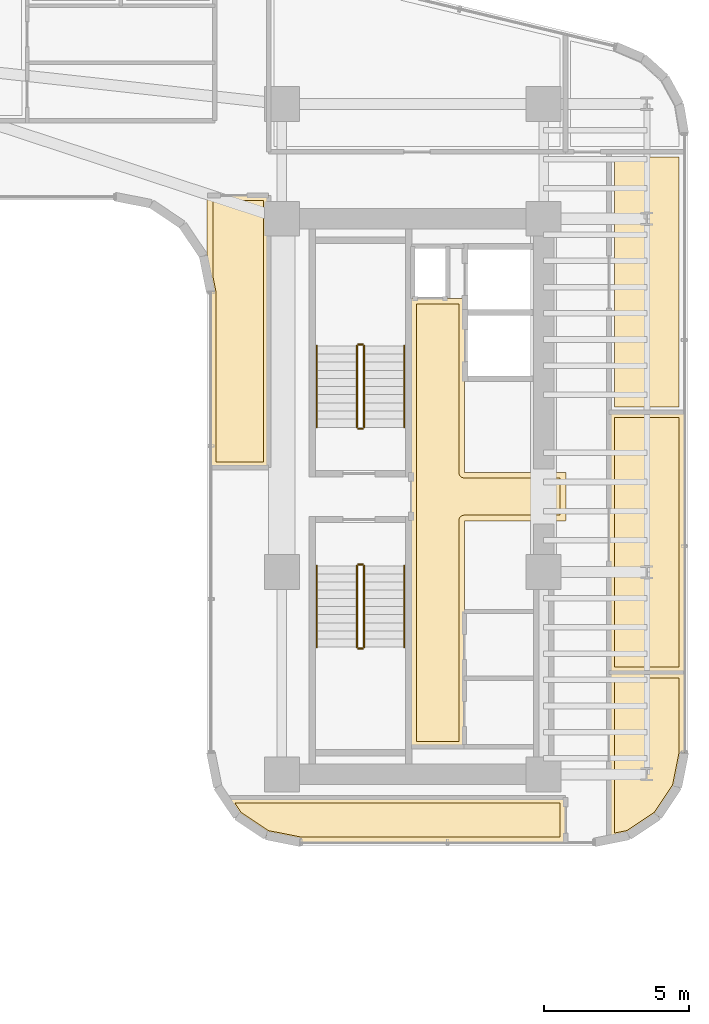
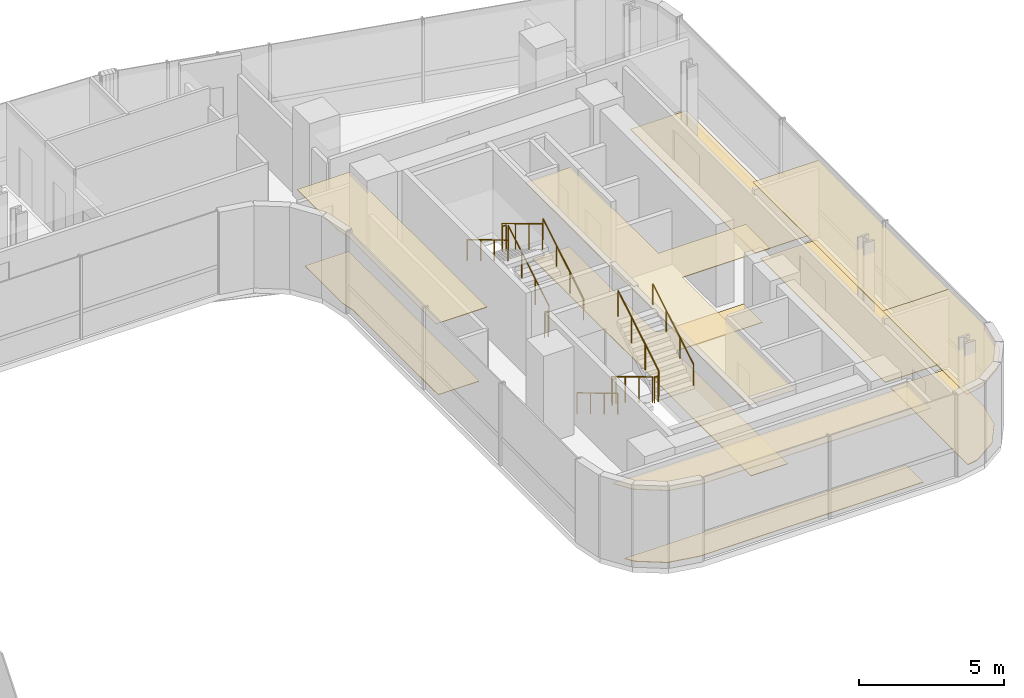
# One storey, part 34 of 36: 12 railings, 11 coverings.
"""IFC4 building model written with IfcOpenShell, lengths in metres."""

from ifc_helpers import new_model, si_unit, direction, frame, origin, origin_2d, place, context, subcontext, project, spatial, polyline, circle, outline, extrude, material, layer, layer_set, type_object, element, save


model = new_model("IFC4")

# Units and contexts
model_context = context("Model", 3, precision=1e-05, world=origin(), true_north=direction((0.0, 1.0)))
body_context = subcontext(model_context, "Body", "Model", "MODEL_VIEW")
ifc_project = project(units=[si_unit("LENGTHUNIT", "METRE"), si_unit("AREAUNIT", "SQUARE_METRE"), si_unit("VOLUMEUNIT", "CUBIC_METRE"), si_unit("PLANEANGLEUNIT", "RADIAN"), si_unit("MASSUNIT", "GRAM", prefix="KILO")], contexts=[model_context])

# Site, building, storey
site_placement = place(None, origin())
site = spatial("IfcSite", under=ifc_project, at=site_placement, CompositionType="ELEMENT")
building_placement = place(site_placement, origin())
building = spatial("IfcBuilding", under=site, at=building_placement, Name="Valdorenza Pilgrim Sanctuary Tower", CompositionType="ELEMENT")
storey_placement = place(building_placement, frame((0.0, 0.0, 109.39990234375)))
storey = spatial("IfcBuildingStorey", under=building, at=storey_placement, Name="L27", CompositionType="ELEMENT", Elevation=109.39990234375)

# Coverings
ifc_material_1 = material(Name="Micro-perforated acoustic mineral ceiling tile", Category="gypsum")
ifc_layer_1 = layer(ifc_material_1, 0.02490234375, Name="Micro-perforated acoustic mineral ceiling tile")
ifc_layer_set_1 = layer_set([ifc_layer_1], Name="Micro-perforated acoustic mineral ceiling tile")
covering_type_1 = type_object("IfcCoveringType", Name="COV-CLG-ACU", PredefinedType="CEILING", material=ifc_layer_set_1)
covering_1_placement = place(storey_placement, frame((0.0, 0.0, 3.16015625)))
element("IfcCovering", 1, at=covering_1_placement, inside=storey, type_object=covering_type_1, Name="L27 Core B Passenger Lift Lobby Acoustic Ceiling", PredefinedType="CEILING", context=body_context, shape_type="SweptSolid", body=[
    extrude(outline(polyline([(20.287109375, -0.814697265625), (20.287109375, 0.814697265625), (20.28662109375, 0.815185546875), (20.2861328125, 0.81640625), (20.28564453125, 0.81787109375), (20.285400390625, 0.819091796875), (20.28515625, 0.820556640625), (20.284912109375, 0.822021484375), (20.284912109375, 6.800048828125), (20.28515625, 6.801513671875), (20.285400390625, 6.802978515625), (20.28564453125, 6.804443359375), (20.2861328125, 6.8056640625), (20.286865234375, 6.80712890625), (20.28759765625, 6.808349609375), (20.288330078125, 6.8095703125), (20.289306640625, 6.810546875), (20.29052734375, 6.8115234375), (20.291748046875, 6.8125), (20.29296875, 6.813232421875), (20.294189453125, 6.81396484375), (20.295654296875, 6.814453125), (20.297119140625, 6.814697265625), (20.298583984375, 6.81494140625), (20.300048828125, 6.81494140625), (20.347900390625, 6.81494140625), (20.349365234375, 6.81494140625), (20.350830078125, 6.814697265625), (20.352294921875, 6.814453125), (20.353515625, 6.81396484375), (20.35498046875, 6.813232421875), (20.35546875, 6.81298828125), (21.544677734375, 6.81298828125), (21.545166015625, 6.813232421875), (21.54638671875, 6.81396484375), (21.5478515625, 6.814453125), (21.54931640625, 6.814697265625), (21.550537109375, 6.81494140625), (21.552001953125, 6.81494140625), (22.1201171875, 6.81494140625), (22.12158203125, 6.81494140625), (22.122802734375, 6.814697265625), (22.12451171875, 6.814453125), (22.125732421875, 6.81396484375), (22.127197265625, 6.813232421875), (22.12841796875, 6.8125), (22.12939453125, 6.8115234375), (22.130615234375, 6.810546875), (22.131591796875, 6.8095703125), (22.132568359375, 6.808349609375), (22.13330078125, 6.80712890625), (22.1337890625, 6.8056640625), (22.134521484375, 6.804443359375), (22.134765625, 6.802978515625), (22.135009765625, 6.801513671875), (22.135009765625, 6.800048828125), (22.135009765625, 0.8349609375), (25.60009765625, 0.8349609375), (25.6015625, 0.8349609375), (25.602783203125, 0.834716796875), (25.6044921875, 0.83447265625), (25.605712890625, 0.833984375), (25.607177734375, 0.833251953125), (25.6083984375, 0.83251953125), (25.609619140625, 0.83154296875), (25.610595703125, 0.83056640625), (25.611572265625, 0.82958984375), (25.612548828125, 0.828369140625), (25.61328125, 0.8271484375), (25.614013671875, 0.82568359375), (25.614501953125, 0.824462890625), (25.61474609375, 0.822998046875), (25.614990234375, 0.821533203125), (25.614990234375, 0.820068359375), (25.614990234375, -0.820068359375), (25.614990234375, -0.821533203125), (25.61474609375, -0.822998046875), (25.614501953125, -0.824462890625), (25.614013671875, -0.82568359375), (25.61328125, -0.8271484375), (25.612548828125, -0.828369140625), (25.611572265625, -0.82958984375), (25.610595703125, -0.83056640625), (25.609619140625, -0.83154296875), (25.6083984375, -0.83251953125), (25.607177734375, -0.833251953125), (25.605712890625, -0.833984375), (25.6044921875, -0.83447265625), (25.602783203125, -0.834716796875), (25.6015625, -0.8349609375), (25.60009765625, -0.8349609375), (22.135009765625, -0.8349609375), (22.135009765625, -8.60009765625), (22.135009765625, -8.6015625), (22.134765625, -8.602783203125), (22.134521484375, -8.6044921875), (22.1337890625, -8.605712890625), (22.13330078125, -8.607177734375), (22.132568359375, -8.6083984375), (22.131591796875, -8.609619140625), (22.130615234375, -8.610595703125), (22.12939453125, -8.611572265625), (22.12841796875, -8.612548828125), (22.127197265625, -8.61328125), (22.125732421875, -8.614013671875), (22.12451171875, -8.614501953125), (22.122802734375, -8.61474609375), (22.12158203125, -8.614990234375), (22.1201171875, -8.614990234375), (20.300048828125, -8.614990234375), (20.298583984375, -8.614990234375), (20.297119140625, -8.61474609375), (20.295654296875, -8.614501953125), (20.294189453125, -8.614013671875), (20.29296875, -8.61328125), (20.291748046875, -8.612548828125), (20.29052734375, -8.611572265625), (20.289306640625, -8.610595703125), (20.288330078125, -8.609619140625), (20.28759765625, -8.6083984375), (20.286865234375, -8.607177734375), (20.2861328125, -8.605712890625), (20.28564453125, -8.6044921875), (20.285400390625, -8.602783203125), (20.28515625, -8.6015625), (20.284912109375, -8.60009765625), (20.284912109375, -0.822021484375), (20.28515625, -0.820556640625), (20.285400390625, -0.819091796875), (20.28564453125, -0.81787109375), (20.2861328125, -0.81640625), (20.28662109375, -0.815185546875), (20.287109375, -0.814697265625)])), origin(), (0.0, 0.0, 1.0), 0.02490234375),
])
covering_2_placement = place(storey_placement, frame((0.0, 0.0, 3.16015625)))
element("IfcCovering", 2, at=covering_2_placement, inside=storey, type_object=covering_type_1, Name="L27 Sacred Manuscript Archive L27-BS Acoustic Ceiling", PredefinedType="CEILING", context=body_context, shape_type="SweptSolid", body=[
    extrude(outline(polyline([(25.614990234375, -11.889892578125), (25.614990234375, -11.8916015625), (25.61474609375, -11.892822265625), (25.614501953125, -11.894287109375), (25.614013671875, -11.895751953125), (25.61328125, -11.897216796875), (25.612548828125, -11.898193359375), (25.611572265625, -11.8994140625), (25.610595703125, -11.900634765625), (25.609619140625, -11.901611328125), (25.6083984375, -11.902587890625), (25.607177734375, -11.9033203125), (25.605712890625, -11.90380859375), (25.6044921875, -11.904296875), (25.602783203125, -11.90478515625), (25.6015625, -11.90478515625), (25.60009765625, -11.905029296875), (16.5107421875, -11.905029296875), (16.509521484375, -11.90478515625), (16.5078125, -11.90478515625), (15.3154296875, -11.66748046875), (15.31396484375, -11.6669921875), (15.3125, -11.66650390625), (15.311279296875, -11.666015625), (15.31005859375, -11.665283203125), (14.308349609375, -10.995849609375), (14.30712890625, -10.9951171875), (14.305908203125, -10.993896484375), (14.304931640625, -10.992919921875), (14.30419921875, -10.99169921875), (13.880859375, -10.3583984375), (13.880126953125, -10.357177734375), (13.87939453125, -10.355712890625), (13.87890625, -10.3544921875), (13.878662109375, -10.352783203125), (13.87841796875, -10.3515625), (13.87841796875, -10.35009765625), (13.87841796875, -10.348388671875), (13.878662109375, -10.34716796875), (13.87890625, -10.345703125), (13.87939453125, -10.34423828125), (13.880126953125, -10.343017578125), (13.880859375, -10.341796875), (13.881591796875, -10.340576171875), (13.8828125, -10.33935546875), (13.8837890625, -10.33837890625), (13.885009765625, -10.33740234375), (13.88623046875, -10.3369140625), (13.8876953125, -10.336181640625), (13.888916015625, -10.335693359375), (13.890380859375, -10.335205078125), (13.891845703125, -10.335205078125), (13.893310546875, -10.3349609375), (25.60009765625, -10.3349609375), (25.6015625, -10.335205078125), (25.602783203125, -10.335205078125), (25.6044921875, -10.335693359375), (25.605712890625, -10.336181640625), (25.607177734375, -10.3369140625), (25.6083984375, -10.33740234375), (25.609619140625, -10.33837890625), (25.610595703125, -10.33935546875), (25.611572265625, -10.340576171875), (25.612548828125, -10.341796875), (25.61328125, -10.343017578125), (25.614013671875, -10.34423828125), (25.614501953125, -10.345703125), (25.61474609375, -10.34716796875), (25.614990234375, -10.348388671875), (25.614990234375, -10.35009765625), (25.614990234375, -11.889892578125)])), origin(), (0.0, 0.0, 1.0), 0.02490234375),
])
covering_3_placement = place(storey_placement, frame((0.0, 0.0, 3.16015625)))
element("IfcCovering", 3, at=covering_3_placement, inside=storey, type_object=covering_type_1, Name="L27 East Reading Lounge L27-EB1 Acoustic Ceiling", PredefinedType="CEILING", context=body_context, shape_type="SweptSolid", body=[
    extrude(outline(polyline([(29.68994140625, -6.034912109375), (29.69140625, -6.03515625), (29.69287109375, -6.035400390625), (29.6943359375, -6.03564453125), (29.69580078125, -6.0361328125), (29.697021484375, -6.036865234375), (29.6982421875, -6.03759765625), (29.699462890625, -6.038330078125), (29.70068359375, -6.039306640625), (29.70166015625, -6.04052734375), (29.702392578125, -6.041748046875), (29.703125, -6.04296875), (29.703857421875, -6.044189453125), (29.704345703125, -6.045654296875), (29.70458984375, -6.047119140625), (29.704833984375, -6.048583984375), (29.705078125, -6.050048828125), (29.705078125, -8.789306640625), (29.704833984375, -8.79052734375), (29.70458984375, -8.7919921875), (29.467529296875, -9.984619140625), (29.467041015625, -9.986083984375), (29.466552734375, -9.9873046875), (29.466064453125, -9.98876953125), (29.46533203125, -9.989990234375), (28.7958984375, -10.99169921875), (28.794921875, -10.992919921875), (28.7939453125, -10.993896484375), (28.79296875, -10.9951171875), (28.791748046875, -10.995849609375), (27.7900390625, -11.665283203125), (27.788818359375, -11.666015625), (27.787353515625, -11.66650390625), (27.785888671875, -11.6669921875), (27.78466796875, -11.66748046875), (27.102783203125, -11.802978515625), (27.1015625, -11.80322265625), (27.10009765625, -11.803466796875), (27.098388671875, -11.80322265625), (27.09716796875, -11.802978515625), (27.095703125, -11.802734375), (27.09423828125, -11.80224609375), (27.093017578125, -11.801513671875), (27.091796875, -11.80078125), (27.090576171875, -11.800048828125), (27.08935546875, -11.799072265625), (27.08837890625, -11.7978515625), (27.08740234375, -11.796630859375), (27.0869140625, -11.79541015625), (27.086181640625, -11.794189453125), (27.085693359375, -11.792724609375), (27.085205078125, -11.791259765625), (27.085205078125, -11.789794921875), (27.0849609375, -11.788330078125), (27.0849609375, -6.050048828125), (27.085205078125, -6.048583984375), (27.085205078125, -6.047119140625), (27.085693359375, -6.045654296875), (27.086181640625, -6.044189453125), (27.0869140625, -6.04296875), (27.08740234375, -6.041748046875), (27.08837890625, -6.04052734375), (27.08935546875, -6.039306640625), (27.090576171875, -6.038330078125), (27.091796875, -6.03759765625), (27.093017578125, -6.036865234375), (27.09423828125, -6.0361328125), (27.095703125, -6.03564453125), (27.09716796875, -6.035400390625), (27.098388671875, -6.03515625), (27.10009765625, -6.034912109375), (29.68994140625, -6.034912109375)])), origin(), (0.0, 0.0, 1.0), 0.02490234375),
])
covering_4_placement = place(storey_placement, frame((0.0, 0.0, 3.16015625)))
element("IfcCovering", 4, at=covering_4_placement, inside=storey, type_object=covering_type_1, Name="L27 East Reading Lounge L27-EB2 Acoustic Ceiling", PredefinedType="CEILING", context=body_context, shape_type="SweptSolid", body=[
    extrude(outline(polyline([(27.0849609375, 2.89990234375), (27.085205078125, 2.901611328125), (27.085205078125, 2.90283203125), (27.085693359375, 2.904296875), (27.086181640625, 2.90576171875), (27.0869140625, 2.906982421875), (27.08740234375, 2.908203125), (27.08837890625, 2.909423828125), (27.08935546875, 2.91064453125), (27.090576171875, 2.91162109375), (27.091796875, 2.91259765625), (27.093017578125, 2.9130859375), (27.09423828125, 2.913818359375), (27.095703125, 2.914306640625), (27.09716796875, 2.914794921875), (27.098388671875, 2.914794921875), (27.10009765625, 2.9150390625), (29.68994140625, 2.9150390625), (29.69140625, 2.914794921875), (29.69287109375, 2.914794921875), (29.6943359375, 2.914306640625), (29.69580078125, 2.913818359375), (29.697021484375, 2.9130859375), (29.6982421875, 2.91259765625), (29.699462890625, 2.91162109375), (29.70068359375, 2.91064453125), (29.70166015625, 2.909423828125), (29.702392578125, 2.908203125), (29.703125, 2.906982421875), (29.703857421875, 2.90576171875), (29.704345703125, 2.904296875), (29.70458984375, 2.90283203125), (29.704833984375, 2.901611328125), (29.705078125, 2.89990234375), (29.705078125, -6.048095703125), (29.704833984375, -6.049560546875), (29.70458984375, -6.05078125), (29.704345703125, -6.052490234375), (29.703857421875, -6.0537109375), (29.703125, -6.05517578125), (29.702392578125, -6.056396484375), (29.70166015625, -6.0576171875), (29.70068359375, -6.05859375), (29.699462890625, -6.0595703125), (29.6982421875, -6.060546875), (29.697021484375, -6.061279296875), (29.69580078125, -6.06201171875), (29.6943359375, -6.0625), (29.69287109375, -6.062744140625), (29.69140625, -6.06298828125), (29.68994140625, -6.06298828125), (27.10009765625, -6.06298828125), (27.098388671875, -6.06298828125), (27.09716796875, -6.062744140625), (27.095703125, -6.0625), (27.09423828125, -6.06201171875), (27.093017578125, -6.061279296875), (27.091796875, -6.060546875), (27.090576171875, -6.0595703125), (27.08935546875, -6.05859375), (27.08837890625, -6.0576171875), (27.08740234375, -6.056396484375), (27.0869140625, -6.05517578125), (27.086181640625, -6.0537109375), (27.085693359375, -6.052490234375), (27.085205078125, -6.05078125), (27.085205078125, -6.049560546875), (27.0849609375, -6.048095703125), (27.0849609375, 2.89990234375)])), origin(), (0.0, 0.0, 1.0), 0.02490234375),
])
covering_5_placement = place(storey_placement, frame((0.0, 0.0, 3.16015625)))
element("IfcCovering", 5, at=covering_5_placement, inside=storey, type_object=covering_type_1, Name="L27 Courtyard Overlook Salon L27 Acoustic Ceiling", PredefinedType="CEILING", context=body_context, shape_type="SweptSolid", body=[
    extrude(outline(polyline([(15.39990234375, 10.364990234375), (15.401611328125, 10.364990234375), (15.40283203125, 10.36474609375), (15.404296875, 10.364501953125), (15.40576171875, 10.364013671875), (15.406982421875, 10.36328125), (15.408203125, 10.362548828125), (15.409423828125, 10.361572265625), (15.41064453125, 10.360595703125), (15.41162109375, 10.359619140625), (15.41259765625, 10.3583984375), (15.4130859375, 10.357177734375), (15.413818359375, 10.355712890625), (15.414306640625, 10.3544921875), (15.414794921875, 10.352783203125), (15.414794921875, 10.3515625), (15.4150390625, 10.35009765625), (15.4150390625, 1.0), (15.414794921875, 0.99853515625), (15.414794921875, 0.9970703125), (15.414306640625, 0.99560546875), (15.413818359375, 0.994384765625), (15.4130859375, 0.992919921875), (15.41259765625, 0.99169921875), (15.41162109375, 0.990478515625), (15.41064453125, 0.989501953125), (15.409423828125, 0.98828125), (15.408203125, 0.987548828125), (15.406982421875, 0.98681640625), (15.40576171875, 0.986083984375), (15.404296875, 0.985595703125), (15.40283203125, 0.9853515625), (15.401611328125, 0.985107421875), (15.39990234375, 0.985107421875), (13.409912109375, 0.985107421875), (13.408447265625, 0.985107421875), (13.406982421875, 0.9853515625), (13.405517578125, 0.985595703125), (13.404296875, 0.986083984375), (13.40283203125, 0.98681640625), (13.401611328125, 0.987548828125), (13.400390625, 0.98828125), (13.3994140625, 0.989501953125), (13.3984375, 0.990478515625), (13.3974609375, 0.99169921875), (13.396728515625, 0.992919921875), (13.39599609375, 0.994384765625), (13.3955078125, 0.99560546875), (13.395263671875, 0.9970703125), (13.39501953125, 0.99853515625), (13.39501953125, 1.0), (13.39501953125, 6.99951171875), (13.39453125, 7.00927734375), (13.39306640625, 7.018798828125), (13.285400390625, 7.560791015625), (13.28515625, 7.562255859375), (13.284912109375, 7.563720703125), (13.284912109375, 10.35009765625), (13.28515625, 10.3515625), (13.285400390625, 10.352783203125), (13.28564453125, 10.3544921875), (13.2861328125, 10.355712890625), (13.286865234375, 10.357177734375), (13.28759765625, 10.3583984375), (13.288330078125, 10.359619140625), (13.289306640625, 10.360595703125), (13.29052734375, 10.361572265625), (13.291748046875, 10.362548828125), (13.29296875, 10.36328125), (13.294189453125, 10.364013671875), (13.295654296875, 10.364501953125), (13.297119140625, 10.36474609375), (13.298583984375, 10.364990234375), (13.300048828125, 10.364990234375), (15.39990234375, 10.364990234375)])), origin(), (0.0, 0.0, 1.0), 0.02490234375),
])
ifc_material_2 = material(Name="Honed travertine stone flooring", Category="masonry")
ifc_layer_2 = layer(ifc_material_2, 0.030029296875, Name="Honed travertine stone flooring")
ifc_layer_set_2 = layer_set([ifc_layer_2], Name="Honed travertine stone flooring")
covering_type_2 = type_object("IfcCoveringType", Name="COV-FLR-TRV", PredefinedType="FLOORING", material=ifc_layer_set_2)
covering_6_placement = place(storey_placement, origin())
element("IfcCovering", 6, at=covering_6_placement, inside=storey, type_object=covering_type_2, Name="L27 Core B Passenger Lift Lobby Flooring", PredefinedType="FLOORING", context=body_context, shape_type="SweptSolid", body=[
    extrude(outline(polyline([(20.47998046875, 6.617919921875), (21.550048828125, 6.617919921875), (21.550537109375, 6.617919921875), (21.93994140625, 6.619384765625), (21.93994140625, 0.820068359375), (21.94091796875, 0.802490234375), (21.943603515625, 0.784912109375), (21.94775390625, 0.767578125), (21.95361328125, 0.751220703125), (21.961181640625, 0.735107421875), (21.97021484375, 0.719970703125), (21.98095703125, 0.705810546875), (21.99267578125, 0.692626953125), (22.005859375, 0.680908203125), (22.02001953125, 0.67041015625), (22.03515625, 0.661376953125), (22.051025390625, 0.65380859375), (22.067626953125, 0.647705078125), (22.0849609375, 0.6435546875), (22.102294921875, 0.640869140625), (22.1201171875, 0.639892578125), (25.419921875, 0.639892578125), (25.419921875, -0.639892578125), (22.1201171875, -0.639892578125), (22.102294921875, -0.640869140625), (22.0849609375, -0.6435546875), (22.067626953125, -0.647705078125), (22.051025390625, -0.65380859375), (22.03515625, -0.661376953125), (22.02001953125, -0.67041015625), (22.005859375, -0.680908203125), (21.99267578125, -0.692626953125), (21.98095703125, -0.705810546875), (21.97021484375, -0.719970703125), (21.961181640625, -0.735107421875), (21.95361328125, -0.751220703125), (21.94775390625, -0.767578125), (21.943603515625, -0.784912109375), (21.94091796875, -0.802490234375), (21.93994140625, -0.820068359375), (21.93994140625, -8.419921875), (20.47998046875, -8.419921875), (20.47998046875, -0.846923828125), (20.47998046875, -0.8466796875), (20.47998046875, -0.8466796875), (20.481689453125, -0.8291015625), (20.481689453125, -0.828857421875), (20.48193359375, -0.820068359375), (20.48193359375, 0.820068359375), (20.47998046875, 6.617919921875)])), origin(), (0.0, 0.0, 1.0), 0.025146484375),
])
covering_7_placement = place(storey_placement, origin())
element("IfcCovering", 7, at=covering_7_placement, inside=storey, type_object=covering_type_2, Name="L27 Sacred Manuscript Archive L27-BS Flooring", PredefinedType="FLOORING", context=body_context, shape_type="SweptSolid", body=[
    extrude(outline(polyline([(25.419921875, -11.7099609375), (16.528564453125, -11.7099609375), (15.388671875, -11.483154296875), (14.4462890625, -10.853515625), (14.22998046875, -10.530029296875), (25.419921875, -10.530029296875), (25.419921875, -11.7099609375)])), origin(), (0.0, 0.0, 1.0), 0.025146484375),
])
covering_8_placement = place(storey_placement, origin())
element("IfcCovering", 8, at=covering_8_placement, inside=storey, type_object=covering_type_2, Name="L27 East Reading Lounge L27-EB1 Flooring", PredefinedType="FLOORING", context=body_context, shape_type="SweptSolid", body=[
    extrude(outline(polyline([(29.510009765625, -6.22998046875), (29.510009765625, -8.771484375), (29.283203125, -9.911376953125), (28.653564453125, -10.853515625), (27.71142578125, -11.483154296875), (27.280029296875, -11.569091796875), (27.280029296875, -6.22998046875), (29.510009765625, -6.22998046875)])), origin(), (0.0, 0.0, 1.0), 0.025146484375),
])
covering_9_placement = place(storey_placement, origin())
element("IfcCovering", 9, at=covering_9_placement, inside=storey, type_object=covering_type_2, Name="L27 East Reading Lounge L27-EB2 Flooring", PredefinedType="FLOORING", context=body_context, shape_type="SweptSolid", body=[
    extrude(outline(polyline([(27.280029296875, 2.719970703125), (29.510009765625, 2.719970703125), (29.510009765625, -5.867919921875), (27.280029296875, -5.867919921875), (27.280029296875, 2.719970703125)])), origin(), (0.0, 0.0, 1.0), 0.025146484375),
])
covering_10_placement = place(storey_placement, origin())
element("IfcCovering", 10, at=covering_10_placement, inside=storey, type_object=covering_type_2, Name="L27 East Reading Lounge L27-EB3 Flooring", PredefinedType="FLOORING", context=body_context, shape_type="SweptSolid", body=[
    extrude(outline(polyline([(27.280029296875, 11.66796875), (29.510009765625, 11.66796875), (29.510009765625, 3.08203125), (27.280029296875, 3.08203125), (27.280029296875, 11.66796875)])), origin(), (0.0, 0.0, 1.0), 0.025146484375),
])
covering_11_placement = place(storey_placement, origin())
element("IfcCovering", 11, at=covering_11_placement, inside=storey, type_object=covering_type_2, Name="L27 Courtyard Overlook Salon L27 Flooring", PredefinedType="FLOORING", context=body_context, shape_type="SweptSolid", body=[
    extrude(outline(polyline([(15.219970703125, 10.169921875), (15.219970703125, 1.179931640625), (13.590087890625, 1.179931640625), (13.590087890625, 7.0), (13.58984375, 7.0087890625), (13.58935546875, 7.01953125), (13.58740234375, 7.037109375), (13.5859375, 7.0478515625), (13.58447265625, 7.056640625), (13.47998046875, 7.58154296875), (13.47998046875, 10.169921875), (15.219970703125, 10.169921875)])), origin(), (0.0, 0.0, 1.0), 0.025146484375),
])

# Railings
ifc_material_3 = material(Name="Stainless steel Grade 316", Category="steel")
railing_type_1 = type_object("IfcRailingType", Name="RLG-GRD-1120", PredefinedType="GUARDRAIL", material=ifc_material_3)
railing_1_placement = place(storey_placement, frame((18.679931640625, 2.3798828125, 0.168212890625)))
element("IfcRailing", 12, at=railing_1_placement, inside=storey, type_object=railing_type_1, Name="L27 ST-B1 stair guard 1", PredefinedType="GUARDRAIL", context=body_context, shape_type="SweptSolid", body=[
    extrude(circle(Radius=0.02392578125, at=origin_2d()), frame((0.0, 0.0, 1.076171875), z_axis=(0.0, 0.857242210791, 0.514913383045), x_axis=(-1.0, 0.0, 0.0)), (0.0, 0.0, 1.0), 3.266357421875),
    extrude(circle(Radius=0.02099609375, at=origin_2d()), origin(), (0.0, 0.0, 1.0), 1.052001953125),
    extrude(circle(Radius=0.02099609375, at=origin_2d()), frame((0.0, 0.933349609375, 0.560546875)), (0.0, 0.0, 1.0), 1.052001953125),
    extrude(circle(Radius=0.02099609375, at=origin_2d()), frame((0.0, 1.86669921875, 1.121337890625)), (0.0, 0.0, 1.0), 1.052001953125),
    extrude(circle(Radius=0.02099609375, at=origin_2d()), frame((0.0, 2.800048828125, 1.681884765625)), (0.0, 0.0, 1.0), 1.052001953125),
])
railing_2_placement = place(storey_placement, frame((18.6298828125, 5.22998046875, 1.85009765625)))
element("IfcRailing", 13, at=railing_2_placement, inside=storey, type_object=railing_type_1, Name="L27 ST-B1 stair guard 2", PredefinedType="GUARDRAIL", context=body_context, shape_type="SweptSolid", body=[
    extrude(circle(Radius=0.02392578125, at=origin_2d()), frame((0.0, 0.0, 1.076171875), z_axis=(-1.0, 0.0, 0.0), x_axis=(0.0, -1.0, 0.0)), (0.0, 0.0, 1.0), 0.14990234375),
    extrude(circle(Radius=0.02099609375, at=origin_2d()), origin(), (0.0, 0.0, 1.0), 1.052001953125),
    extrude(circle(Radius=0.02099609375, at=origin_2d()), frame((-0.14990234375, 0.0, 0.0)), (0.0, 0.0, 1.0), 1.052001953125),
])
railing_3_placement = place(storey_placement, frame((18.429931640625, 5.179931640625, 2.018310546875)))
element("IfcRailing", 14, at=railing_3_placement, inside=storey, type_object=railing_type_1, Name="L27 ST-B1 stair guard 3", PredefinedType="GUARDRAIL", context=body_context, shape_type="SweptSolid", body=[
    extrude(circle(Radius=0.02392578125, at=origin_2d()), frame((0.0, 0.0, 1.076171875), z_axis=(0.0, -0.857242210791, 0.514913383045), x_axis=(1.0, 0.0, 0.0)), (0.0, 0.0, 1.0), 3.266357421875),
    extrude(circle(Radius=0.02099609375, at=origin_2d()), origin(), (0.0, 0.0, 1.0), 1.052001953125),
    extrude(circle(Radius=0.02099609375, at=origin_2d()), frame((0.0, -0.933349609375, 0.560546875)), (0.0, 0.0, 1.0), 1.052001953125),
    extrude(circle(Radius=0.02099609375, at=origin_2d()), frame((0.0, -1.86669921875, 1.121337890625)), (0.0, 0.0, 1.0), 1.052001953125),
    extrude(circle(Radius=0.02099609375, at=origin_2d()), frame((0.0, -2.800048828125, 1.681884765625)), (0.0, 0.0, 1.0), 1.052001953125),
])
railing_4_placement = place(storey_placement, frame((18.6298828125, 2.330078125, 0.0)))
element("IfcRailing", 15, at=railing_4_placement, inside=storey, type_object=railing_type_1, Name="L27 ST-B1 stair guard 4", PredefinedType="GUARDRAIL", context=body_context, shape_type="SweptSolid", body=[
    extrude(circle(Radius=0.02392578125, at=origin_2d()), frame((0.0, 0.0, 1.076171875), z_axis=(-1.0, 0.0, 0.0), x_axis=(0.0, -1.0, 0.0)), (0.0, 0.0, 1.0), 0.14990234375),
    extrude(circle(Radius=0.02099609375, at=origin_2d()), origin(), (0.0, 0.0, 1.0), 1.052001953125),
    extrude(circle(Radius=0.02099609375, at=origin_2d()), frame((-0.14990234375, 0.0, 0.0)), (0.0, 0.0, 1.0), 1.052001953125),
])
railing_5_placement = place(storey_placement, frame((18.429931640625, -2.3798828125, 0.168212890625)))
element("IfcRailing", 16, at=railing_5_placement, inside=storey, type_object=railing_type_1, Name="L27 ST-B2 stair guard 1", PredefinedType="GUARDRAIL", context=body_context, shape_type="SweptSolid", body=[
    extrude(circle(Radius=0.02392578125, at=origin_2d()), frame((0.0, 0.0, 1.076171875), z_axis=(0.0, -0.857242210791, 0.514913383045), x_axis=(1.0, 0.0, 0.0)), (0.0, 0.0, 1.0), 3.266357421875),
    extrude(circle(Radius=0.02099609375, at=origin_2d()), origin(), (0.0, 0.0, 1.0), 1.052001953125),
    extrude(circle(Radius=0.02099609375, at=origin_2d()), frame((0.0, -0.933349609375, 0.560546875)), (0.0, 0.0, 1.0), 1.052001953125),
    extrude(circle(Radius=0.02099609375, at=origin_2d()), frame((0.0, -1.86669921875, 1.121337890625)), (0.0, 0.0, 1.0), 1.052001953125),
    extrude(circle(Radius=0.02099609375, at=origin_2d()), frame((0.0, -2.800048828125, 1.681884765625)), (0.0, 0.0, 1.0), 1.052001953125),
])
railing_6_placement = place(storey_placement, frame((18.47998046875, -5.22998046875, 1.85009765625)))
element("IfcRailing", 17, at=railing_6_placement, inside=storey, type_object=railing_type_1, Name="L27 ST-B2 stair guard 2", PredefinedType="GUARDRAIL", context=body_context, shape_type="SweptSolid", body=[
    extrude(circle(Radius=0.02392578125, at=origin_2d()), frame((0.0, 0.0, 1.076171875), z_axis=(1.0, 0.0, 0.0), x_axis=(0.0, 1.0, 0.0)), (0.0, 0.0, 1.0), 0.14990234375),
    extrude(circle(Radius=0.02099609375, at=origin_2d()), origin(), (0.0, 0.0, 1.0), 1.052001953125),
    extrude(circle(Radius=0.02099609375, at=origin_2d()), frame((0.14990234375, 0.0, 0.0)), (0.0, 0.0, 1.0), 1.052001953125),
])
railing_7_placement = place(storey_placement, frame((18.679931640625, -5.179931640625, 2.018310546875)))
element("IfcRailing", 18, at=railing_7_placement, inside=storey, type_object=railing_type_1, Name="L27 ST-B2 stair guard 3", PredefinedType="GUARDRAIL", context=body_context, shape_type="SweptSolid", body=[
    extrude(circle(Radius=0.02392578125, at=origin_2d()), frame((0.0, 0.0, 1.076171875), z_axis=(0.0, 0.857242210791, 0.514913383045), x_axis=(-1.0, 0.0, 0.0)), (0.0, 0.0, 1.0), 3.266357421875),
    extrude(circle(Radius=0.02099609375, at=origin_2d()), origin(), (0.0, 0.0, 1.0), 1.052001953125),
    extrude(circle(Radius=0.02099609375, at=origin_2d()), frame((0.0, 0.933349609375, 0.560546875)), (0.0, 0.0, 1.0), 1.052001953125),
    extrude(circle(Radius=0.02099609375, at=origin_2d()), frame((0.0, 1.86669921875, 1.121337890625)), (0.0, 0.0, 1.0), 1.052001953125),
    extrude(circle(Radius=0.02099609375, at=origin_2d()), frame((0.0, 2.800048828125, 1.681884765625)), (0.0, 0.0, 1.0), 1.052001953125),
])
railing_8_placement = place(storey_placement, frame((18.47998046875, -2.330078125, 0.0)))
element("IfcRailing", 19, at=railing_8_placement, inside=storey, type_object=railing_type_1, Name="L27 ST-B2 stair guard 4", PredefinedType="GUARDRAIL", context=body_context, shape_type="SweptSolid", body=[
    extrude(circle(Radius=0.02392578125, at=origin_2d()), frame((0.0, 0.0, 1.076171875), z_axis=(1.0, 0.0, 0.0), x_axis=(0.0, 1.0, 0.0)), (0.0, 0.0, 1.0), 0.14990234375),
    extrude(circle(Radius=0.02099609375, at=origin_2d()), origin(), (0.0, 0.0, 1.0), 1.052001953125),
    extrude(circle(Radius=0.02099609375, at=origin_2d()), frame((0.14990234375, 0.0, 0.0)), (0.0, 0.0, 1.0), 1.052001953125),
])
ifc_material_4 = material(Name="Brushed stainless steel Grade 316", Category="steel")
railing_type_2 = type_object("IfcRailingType", Name="RLG-HND-920", PredefinedType="HANDRAIL", material=ifc_material_4)
railing_9_placement = place(storey_placement, frame((20.06005859375, 2.3798828125, 0.168212890625)))
element("IfcRailing", 20, at=railing_9_placement, inside=storey, type_object=railing_type_2, Name="L27 ST-B1 stair handrail 1", PredefinedType="HANDRAIL", context=body_context, shape_type="SweptSolid", body=[
    extrude(circle(Radius=0.02392578125, at=origin_2d()), frame((0.0, 0.0, 0.8759765625), z_axis=(0.0, 0.857242210791, 0.514913383045), x_axis=(-1.0, 0.0, 0.0)), (0.0, 0.0, 1.0), 3.266357421875),
    extrude(circle(Radius=0.02099609375, at=origin_2d()), origin(), (0.0, 0.0, 1.0), 0.851806640625),
    extrude(circle(Radius=0.02099609375, at=origin_2d()), frame((0.0, 0.933349609375, 0.560546875)), (0.0, 0.0, 1.0), 0.851806640625),
    extrude(circle(Radius=0.02099609375, at=origin_2d()), frame((0.0, 1.86669921875, 1.121337890625)), (0.0, 0.0, 1.0), 0.851806640625),
    extrude(circle(Radius=0.02099609375, at=origin_2d()), frame((0.0, 2.800048828125, 1.681884765625)), (0.0, 0.0, 1.0), 0.851806640625),
])
for number, where, name in (
    (21, (17.050048828125, 5.179931640625, 2.018310546875), "L27 ST-B1 stair handrail 2"),
    (22, (17.050048828125, -2.3798828125, 0.168212890625), "L27 ST-B2 stair handrail 1"),
):
    element("IfcRailing", number, at=place(storey_placement, frame(where)), inside=storey, type_object=railing_type_2, Name=name, PredefinedType="HANDRAIL", context=body_context, shape_type="SweptSolid", body=[
        extrude(circle(Radius=0.02392578125, at=origin_2d()), frame((0.0, 0.0, 0.8759765625), z_axis=(0.0, -0.857242210791, 0.514913383045), x_axis=(1.0, 0.0, 0.0)), (0.0, 0.0, 1.0), 3.266357421875),
        extrude(circle(Radius=0.02099609375, at=origin_2d()), origin(), (0.0, 0.0, 1.0), 0.851806640625),
        extrude(circle(Radius=0.02099609375, at=origin_2d()), frame((0.0, -0.933349609375, 0.560546875)), (0.0, 0.0, 1.0), 0.851806640625),
        extrude(circle(Radius=0.02099609375, at=origin_2d()), frame((0.0, -1.86669921875, 1.121337890625)), (0.0, 0.0, 1.0), 0.851806640625),
        extrude(circle(Radius=0.02099609375, at=origin_2d()), frame((0.0, -2.800048828125, 1.681884765625)), (0.0, 0.0, 1.0), 0.851806640625),
    ])
railing_10_placement = place(storey_placement, frame((20.06005859375, -5.179931640625, 2.018310546875)))
element("IfcRailing", 23, at=railing_10_placement, inside=storey, type_object=railing_type_2, Name="L27 ST-B2 stair handrail 2", PredefinedType="HANDRAIL", context=body_context, shape_type="SweptSolid", body=[
    extrude(circle(Radius=0.02392578125, at=origin_2d()), frame((0.0, 0.0, 0.8759765625), z_axis=(0.0, 0.857242210791, 0.514913383045), x_axis=(-1.0, 0.0, 0.0)), (0.0, 0.0, 1.0), 3.266357421875),
    extrude(circle(Radius=0.02099609375, at=origin_2d()), origin(), (0.0, 0.0, 1.0), 0.851806640625),
    extrude(circle(Radius=0.02099609375, at=origin_2d()), frame((0.0, 0.933349609375, 0.560546875)), (0.0, 0.0, 1.0), 0.851806640625),
    extrude(circle(Radius=0.02099609375, at=origin_2d()), frame((0.0, 1.86669921875, 1.121337890625)), (0.0, 0.0, 1.0), 0.851806640625),
    extrude(circle(Radius=0.02099609375, at=origin_2d()), frame((0.0, 2.800048828125, 1.681884765625)), (0.0, 0.0, 1.0), 0.851806640625),
])

save(model, "model.ifc")
